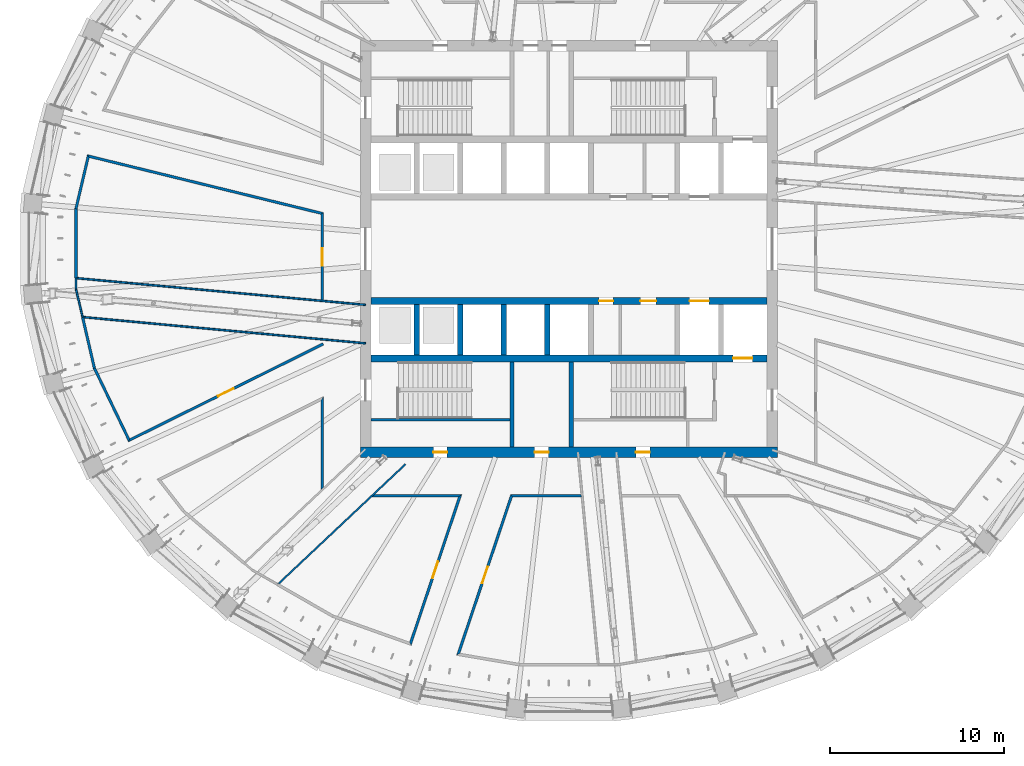
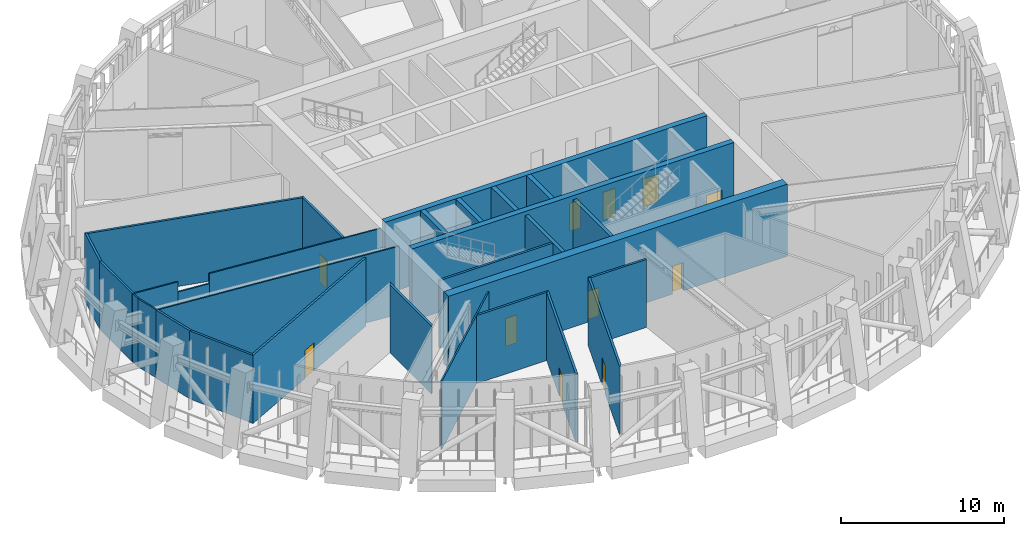
# One storey, part 7 of 20: 29 walls, 11 doors, 11 openings.
"""IFC4 building model written with IfcOpenShell, lengths in metres."""

from ifc_helpers import new_model, si_unit, direction, frame, frame_2d, origin, place, context, subcontext, project, spatial, polyline, rectangle, outline, extrude, material, layer, layer_set, type_object, element, fill, save


model = new_model("IFC4")

# Units and contexts
model_context = context("Model", 3, precision=1e-05, world=origin(), true_north=direction((0.0, 1.0)))
body_context = subcontext(model_context, "Body", "Model", "MODEL_VIEW")
ifc_project = project(units=[si_unit("LENGTHUNIT", "METRE"), si_unit("AREAUNIT", "SQUARE_METRE"), si_unit("VOLUMEUNIT", "CUBIC_METRE"), si_unit("PLANEANGLEUNIT", "RADIAN"), si_unit("MASSUNIT", "GRAM", prefix="KILO")], contexts=[model_context])

# Site, building, storey
site_placement = place(None, origin())
site = spatial("IfcSite", under=ifc_project, at=site_placement, CompositionType="ELEMENT")
building_placement = place(site_placement, origin())
building = spatial("IfcBuilding", under=site, at=building_placement, Name="Halqa Exchange Tower", CompositionType="ELEMENT")
storey_placement = place(building_placement, frame((0.0, 0.0, 250.89990234375)))
storey = spatial("IfcBuildingStorey", under=building, at=storey_placement, Name="L58", CompositionType="ELEMENT", Elevation=250.89990234375)

# Walls
ifc_material_1 = material(Name="Fire-rated gypsum board")
ifc_layer_1 = layer(ifc_material_1, 0.14990234375)
ifc_layer_set_1 = layer_set([ifc_layer_1], Name="Fire-rated gypsum board")
wall_type_1 = type_object("IfcWallType", Name="Fire partition EI 60 150", PredefinedType="PARTITIONING", material=ifc_layer_set_1)
wall_1_placement = place(storey_placement, frame((-28.360107421875, 2.318603515625, 0.0), z_axis=(0.0, 0.0, 1.0), x_axis=(0.0, -1.0, 0.0)))
element("IfcWall", 1, at=wall_1_placement, inside=storey, type_object=wall_type_1, Name="L58-PWL-004", PredefinedType="PARTITIONING", context=body_context, shape_type="SweptSolid", body=[
    extrude(outline(polyline([(3.99853515625, 0.074951171875), (2.0078125, 0.074951171875), (0.017333984375, 0.074951171875), (0.0, -0.073974609375), (0.0, -0.074951171875), (1.999267578125, -0.074951171875), (3.99853515625, -0.074951171875), (3.99853515625, 0.074951171875)])), origin(), (0.0, 0.0, 1.0), 5.10009765625),
])
wall_2_placement = place(storey_placement, frame((-28.362060546875, 2.301513671875, 0.0), z_axis=(0.0, 0.0, 1.0), x_axis=(0.228907359016, 0.973448211765, 0.0)))
element("IfcWall", 2, at=wall_2_placement, inside=storey, type_object=wall_type_1, Name="L58-PWL-005", PredefinedType="PARTITIONING", context=body_context, shape_type="SweptSolid", body=[
    extrude(outline(polyline([(0.017333984375, -0.074951171875), (1.53125, -0.074951171875), (3.044921875, -0.074951171875), (3.1962890625, 0.074951171875), (1.59814453125, 0.074951171875), (0.0, 0.074951171875), (0.017333984375, -0.074951171875)])), origin(), (0.0, 0.0, 1.0), 5.10009765625),
])
wall_3_placement = place(storey_placement, frame((-27.97998046875, -3.919921875, 0.0), z_axis=(0.0, 0.0, 1.0), x_axis=(0.225336755586, -0.974280938222, 0.0)))
element("IfcWall", 3, at=wall_3_placement, inside=storey, type_object=wall_type_1, Name="L58-PWL-006", PredefinedType="PARTITIONING", context=body_context, shape_type="SweptSolid", body=[
    extrude(outline(polyline([(0.0, -0.074951171875), (1.512939453125, -0.074951171875), (3.026123046875, -0.074951171875), (3.00927734375, 0.074951171875), (1.504638671875, 0.074951171875), (0.0, 0.074951171875), (0.0, -0.074951171875)])), origin(), (0.0, 0.0, 1.0), 5.10009765625),
])
wall_4_placement = place(storey_placement, frame((-27.72119140625, 5.357421875, 0.0), z_axis=(0.0, 0.0, 1.0), x_axis=(0.971194300178, -0.238288965968, 0.0)))
element("IfcWall", 4, at=wall_4_placement, inside=storey, type_object=wall_type_1, Name="L58-PWL-008", PredefinedType="PARTITIONING", context=body_context, shape_type="SweptSolid", body=[
    extrude(outline(polyline([(0.1513671875, -0.074951171875), (2.110107421875, -0.074951171875), (4.069091796875, -0.074951171875), (6.02783203125, -0.074951171875), (7.98681640625, -0.074951171875), (9.945556640625, -0.074951171875), (11.904541015625, -0.074951171875), (13.86328125, -0.074951171875), (13.98095703125, 0.074951171875), (11.983642578125, 0.074951171875), (9.986328125, 0.074951171875), (7.989013671875, 0.074951171875), (5.991943359375, 0.074951171875), (3.99462890625, 0.074951171875), (1.997314453125, 0.074951171875), (0.0, 0.074951171875), (0.0, 0.074951171875), (0.1513671875, -0.074951171875)])), origin(), (0.0, 0.0, 1.0), 5.10009765625),
])
wall_5_placement = place(storey_placement, frame((-27.3037109375, -6.8525390625, 0.0), z_axis=(0.0, 0.0, 1.0), x_axis=(0.434155152195, -0.900838111884, 0.0)))
element("IfcWall", 5, at=wall_5_placement, inside=storey, type_object=wall_type_1, Name="L58-PWL-009", PredefinedType="PARTITIONING", context=body_context, shape_type="SweptSolid", body=[
    extrude(outline(polyline([(4.69091796875, -0.074951171875), (4.69091796875, -0.074951171875), (4.539306640625, 0.074951171875), (3.03173828125, 0.074951171875), (1.524169921875, 0.074951171875), (0.0166015625, 0.074951171875), (0.0, -0.07470703125), (0.0, -0.074951171875), (1.563720703125, -0.074951171875), (3.127197265625, -0.074951171875), (4.69091796875, -0.074951171875)])), origin(), (0.0, 0.0, 1.0), 5.10009765625),
])

# Wall, opening, door
wall_6_placement = place(storey_placement, frame((-25.367919921875, -11.043701171875, 0.0), z_axis=(0.0, 0.0, 1.0), x_axis=(0.895719744434, 0.444619094767, 0.0)))
wall_6 = element("IfcWall", 6, at=wall_6_placement, inside=storey, type_object=wall_type_1, Name="L58-PWL-011", PredefinedType="PARTITIONING", context=body_context, shape_type="SweptSolid", body=[
    extrude(outline(polyline([(12.543212890625, 0.074951171875), (10.77294921875, 0.074951171875), (9.002685546875, 0.074951171875), (7.232666015625, 0.074951171875), (5.46240234375, 0.074951171875), (3.692138671875, 0.074951171875), (1.921875, 0.074951171875), (0.151611328125, 0.074951171875), (0.0, -0.074951171875), (1.7919921875, -0.074951171875), (3.583740234375, -0.074951171875), (5.375732421875, -0.074951171875), (7.16748046875, -0.074951171875), (8.95947265625, -0.074951171875), (10.751220703125, -0.074951171875), (12.543212890625, -0.074951171875), (12.543212890625, 0.074951171875)])), origin(), (0.0, 0.0, 1.0), 5.10009765625),
])
opening_1_placement = place(wall_6_placement, frame((5.772216796875, 0.0, 0.0)))
opening_1 = element("IfcOpeningElement", 7, at=opening_1_placement, cuts=wall_6, Name="Opening L58-01", PredefinedType="OPENING", context=body_context, shape_type="SweptSolid", body=[
    extrude(rectangle(XDim=1.0, YDim=2.10009765625, at=frame_2d((0.5, 1.050048828125))), frame((0.0, 0.0869140625, 0.0), z_axis=(0.0, -1.0, 0.0), x_axis=(1.0, 0.0, 0.0)), (0.0, 0.0, 1.0), 0.173828125),
])
ifc_material_2 = material(Name="Steel fire door leaf", Category="steel")
door_type_1 = type_object("IfcDoorType", Name="Fire door FD30S 1000 x 2100", OperationType="SINGLE_SWING_LEFT", PredefinedType="DOOR", material=ifc_material_2)
door_1_placement = place(opening_1_placement, origin())
door_1 = element("IfcDoor", 8, at=door_1_placement, inside=storey, type_object=door_type_1, Name="L58-IDR-001", OperationType="SINGLE_SWING_RIGHT", OverallHeight=2.10009765625, OverallWidth=1.0, PredefinedType="DOOR", context=body_context, shape_type="SweptSolid", body=[
    extrude(rectangle(XDim=1.0, YDim=2.10009765625, at=frame_2d((0.5, 1.050048828125))), frame((0.0, 0.02490234375, 0.0), z_axis=(0.0, -1.0, 0.0), x_axis=(1.0, 0.0, 0.0)), (0.0, 0.0, 1.0), 0.050048828125),
])
fill(opening_1, door_1)

# Wall
wall_7_placement = place(storey_placement, frame((-14.199951171875, -13.87255859375, 0.0), z_axis=(0.0, 0.0, 1.0), x_axis=(0.0, 1.0, 0.0)))
element("IfcWall", 9, at=wall_7_placement, inside=storey, type_object=wall_type_1, Name="L58-PWL-028", PredefinedType="PARTITIONING", context=body_context, shape_type="SweptSolid", body=[
    extrude(outline(polyline([(5.37353515625, -0.074951171875), (5.37353515625, -0.074951171875), (5.25244140625, 0.0), (5.131591796875, 0.074951171875), (3.421630859375, 0.074951171875), (1.71142578125, 0.074951171875), (0.001220703125, 0.074951171875), (0.14208984375, -0.074951171875), (1.885986328125, -0.074951171875), (3.629638671875, -0.074951171875), (5.37353515625, -0.074951171875)])), origin(), (0.0, 0.0, 1.0), 5.10009765625),
])

# Wall, opening, door
wall_8_placement = place(storey_placement, frame((-14.199951171875, -2.945556640625, 0.0), z_axis=(0.0, 0.0, 1.0), x_axis=(0.0, 1.0, 0.0)))
wall_8 = element("IfcWall", 10, at=wall_8_placement, inside=storey, type_object=wall_type_1, Name="L58-PWL-030", PredefinedType="PARTITIONING", context=body_context, shape_type="SweptSolid", body=[
    extrude(outline(polyline([(0.0, -0.074951171875), (1.681396484375, -0.074951171875), (3.36279296875, -0.074951171875), (5.04443359375, -0.074951171875), (4.985595703125, 0.0), (4.9267578125, 0.074951171875), (3.2890625, 0.074951171875), (1.6513671875, 0.074951171875), (0.013916015625, 0.074951171875), (0.0, -0.074462890625), (0.0, -0.074951171875)])), origin(), (0.0, 0.0, 1.0), 5.10009765625),
])
opening_2_placement = place(wall_8_placement, frame((1.970458984375, 0.0, 0.0)))
opening_2 = element("IfcOpeningElement", 11, at=opening_2_placement, cuts=wall_8, Name="Opening L58-16", PredefinedType="OPENING", context=body_context, shape_type="SweptSolid", body=[
    extrude(rectangle(XDim=1.0, YDim=2.10009765625, at=frame_2d((0.5, 1.050048828125))), frame((0.0, 0.0869140625, 0.0), z_axis=(0.0, -1.0, 0.0), x_axis=(1.0, 0.0, 0.0)), (0.0, 0.0, 1.0), 0.173828125),
])
door_2_placement = place(opening_2_placement, origin())
door_2 = element("IfcDoor", 12, at=door_2_placement, inside=storey, type_object=door_type_1, Name="L58-IDR-016", OperationType="SINGLE_SWING_RIGHT", OverallHeight=2.10009765625, OverallWidth=1.0, PredefinedType="DOOR", context=body_context, shape_type="SweptSolid", body=[
    extrude(rectangle(XDim=1.0, YDim=2.10009765625, at=frame_2d((0.5, 1.050048828125))), frame((0.0, 0.02490234375, 0.0), z_axis=(0.0, -1.0, 0.0), x_axis=(1.0, 0.0, 0.0)), (0.0, 0.0, 1.0), 0.050048828125),
])
fill(opening_2, door_2)

wall_9_placement = place(storey_placement, frame((-9.144287109375, -22.79248046875, 0.0), z_axis=(0.0, 0.0, 1.0), x_axis=(0.318224288807, 0.948015454522, 0.0)))
wall_9 = element("IfcWall", 13, at=wall_9_placement, inside=storey, type_object=wall_type_1, Name="L58-PWL-037", PredefinedType="PARTITIONING", context=body_context, shape_type="SweptSolid", body=[
    extrude(outline(polyline([(0.0, -0.074951171875), (1.83349609375, -0.074951171875), (3.667236328125, -0.074951171875), (5.500732421875, -0.074951171875), (7.334228515625, -0.074951171875), (9.16796875, -0.074951171875), (8.95947265625, 0.074951171875), (7.197998046875, 0.074951171875), (5.436767578125, 0.074951171875), (3.675537109375, 0.074951171875), (1.9140625, 0.074951171875), (0.15283203125, 0.074951171875), (0.0, -0.074951171875)])), origin(), (0.0, 0.0, 1.0), 5.10009765625),
])
opening_3_placement = place(wall_9_placement, frame((4.070068359375, 0.0, 0.0)))
opening_3 = element("IfcOpeningElement", 14, at=opening_3_placement, cuts=wall_9, Name="Opening L58-03", PredefinedType="OPENING", context=body_context, shape_type="SweptSolid", body=[
    extrude(rectangle(XDim=1.0, YDim=2.10009765625, at=frame_2d((0.5, 1.050048828125))), frame((0.0, 0.0869140625, 0.0), z_axis=(0.0, -1.0, 0.0), x_axis=(1.0, 0.0, 0.0)), (0.0, 0.0, 1.0), 0.173828125),
])
door_3_placement = place(opening_3_placement, origin())
door_3 = element("IfcDoor", 15, at=door_3_placement, inside=storey, type_object=door_type_1, Name="L58-IDR-003", OperationType="SINGLE_SWING_RIGHT", OverallHeight=2.10009765625, OverallWidth=1.0, PredefinedType="DOOR", context=body_context, shape_type="SweptSolid", body=[
    extrude(rectangle(XDim=1.0, YDim=2.10009765625, at=frame_2d((0.5, 1.050048828125))), frame((0.0, 0.02490234375, 0.0), z_axis=(0.0, -1.0, 0.0), x_axis=(1.0, 0.0, 0.0)), (0.0, 0.0, 1.0), 0.050048828125),
])
fill(opening_3, door_3)

# Wall
wall_10_placement = place(storey_placement, frame((-6.15576171875, -14.199951171875, 0.0), z_axis=(0.0, 0.0, 1.0), x_axis=(-1.0, 0.0, 0.0)))
element("IfcWall", 16, at=wall_10_placement, inside=storey, type_object=wall_type_1, Name="L58-PWL-041", PredefinedType="PARTITIONING", context=body_context, shape_type="SweptSolid", body=[
    extrude(outline(polyline([(0.0, -0.074951171875), (1.673828125, -0.074951171875), (3.34765625, -0.074951171875), (5.021484375, -0.074951171875), (5.180908203125, 0.074951171875), (3.5234375, 0.074951171875), (1.865966796875, 0.074951171875), (0.20849609375, 0.074951171875), (0.104248046875, 0.0), (0.0, -0.074951171875), (0.0, -0.074951171875)])), origin(), (0.0, 0.0, 1.0), 5.10009765625),
])

# Wall, opening, door
wall_11_placement = place(storey_placement, frame((-3.28271484375, -14.14892578125, 0.0), z_axis=(0.0, 0.0, 1.0), x_axis=(-0.319031661874, -0.947744057603, 0.0)))
wall_11 = element("IfcWall", 17, at=wall_11_placement, inside=storey, type_object=wall_type_1, Name="L58-PWL-044", PredefinedType="PARTITIONING", context=body_context, shape_type="SweptSolid", body=[
    extrude(outline(polyline([(0.000244140625, -0.074951171875), (1.952880859375, -0.074951171875), (3.90576171875, -0.074951171875), (5.858642578125, -0.074951171875), (7.8115234375, -0.074951171875), (9.764404296875, -0.074951171875), (9.5888671875, 0.074951171875), (7.692626953125, 0.074951171875), (5.79638671875, 0.074951171875), (3.900390625, 0.074951171875), (2.004150390625, 0.074951171875), (0.10791015625, 0.074951171875), (0.000244140625, -0.074951171875)])), origin(), (0.0, 0.0, 1.0), 5.10009765625),
])
opening_4_placement = place(wall_11_placement, frame((4.365234375, 0.0, 0.0)))
opening_4 = element("IfcOpeningElement", 18, at=opening_4_placement, cuts=wall_11, Name="Opening L58-04", PredefinedType="OPENING", context=body_context, shape_type="SweptSolid", body=[
    extrude(rectangle(XDim=1.0, YDim=2.10009765625, at=frame_2d((0.5, 1.050048828125))), frame((0.0, 0.0869140625, 0.0), z_axis=(0.0, -1.0, 0.0), x_axis=(1.0, 0.0, 0.0)), (0.0, 0.0, 1.0), 0.173828125),
])
door_4_placement = place(opening_4_placement, origin())
door_4 = element("IfcDoor", 19, at=door_4_placement, inside=storey, type_object=door_type_1, Name="L58-IDR-004", OperationType="SINGLE_SWING_LEFT", OverallHeight=2.10009765625, OverallWidth=1.0, PredefinedType="DOOR", context=body_context, shape_type="SweptSolid", body=[
    extrude(rectangle(XDim=1.0, YDim=2.10009765625, at=frame_2d((0.5, 1.050048828125))), frame((0.0, 0.02490234375, 0.0), z_axis=(0.0, -1.0, 0.0), x_axis=(1.0, 0.0, 0.0)), (0.0, 0.0, 1.0), 0.050048828125),
])
fill(opening_4, door_4)

# Walls
wall_12_placement = place(storey_placement, frame((0.716064453125, -14.199951171875, 0.0), z_axis=(0.0, 0.0, 1.0), x_axis=(-1.0, 0.0, 0.0)))
element("IfcWall", 20, at=wall_12_placement, inside=storey, type_object=wall_type_1, Name="L58-PWL-050", PredefinedType="PARTITIONING", context=body_context, shape_type="SweptSolid", body=[
    extrude(outline(polyline([(0.01416015625, -0.074951171875), (1.365966796875, -0.074951171875), (2.718017578125, -0.074951171875), (4.070068359375, -0.074951171875), (4.01611328125, 0.0), (3.962158203125, 0.074951171875), (1.981201171875, 0.074951171875), (0.0, 0.074951171875), (0.0, 0.072021484375), (0.01416015625, -0.074951171875)])), origin(), (0.0, 0.0, 1.0), 5.10009765625),
])
ifc_material_3 = material(Name="Gypsum board")
ifc_layer_2 = layer(ifc_material_3, 0.10009765625)
ifc_layer_set_2 = layer_set([ifc_layer_2], Name="Gypsum board")
wall_type_2 = type_object("IfcWallType", Name="Partition 100 gypsum", PredefinedType="PARTITIONING", material=ifc_layer_set_2)
wall_13_placement = place(storey_placement, frame((-28.361328125, -2.30419921875, 0.0), z_axis=(0.0, 0.0, 1.0), x_axis=(0.229711426493, -0.973258783951, 0.0)))
element("IfcWall", 21, at=wall_13_placement, inside=storey, type_object=wall_type_2, Name="L58-PWL-001", PredefinedType="PARTITIONING", context=body_context, shape_type="SweptSolid", body=[
    extrude(outline(polyline([(1.66015625, 0.050048828125), (0.01171875, 0.050048828125), (0.000244140625, -0.050048828125), (1.66015625, -0.050048828125), (1.66015625, 0.050048828125)])), origin(), (0.0, 0.0, 1.0), 5.10009765625),
])
wall_14_placement = place(storey_placement, frame((-28.360107421875, -1.679931640625, 0.0), z_axis=(0.0, 0.0, 1.0), x_axis=(0.0, -1.0, 0.0)))
element("IfcWall", 22, at=wall_14_placement, inside=storey, type_object=wall_type_2, Name="L58-PWL-002", PredefinedType="PARTITIONING", context=body_context, shape_type="SweptSolid", body=[
    extrude(outline(polyline([(0.0, -0.050048828125), (0.635986328125, -0.050048828125), (0.624267578125, 0.050048828125), (0.0, 0.050048828125), (0.0, -0.050048828125)])), origin(), (0.0, 0.0, 1.0), 5.10009765625),
])
wall_15_placement = place(storey_placement, frame((-28.30517578125, -1.68505859375, 0.0), z_axis=(0.0, 0.0, 1.0), x_axis=(0.995756165185, -0.092030752986, 0.0)))
element("IfcWall", 23, at=wall_15_placement, inside=storey, type_object=wall_type_2, Name="L58-PWL-003", PredefinedType="PARTITIONING", context=body_context, shape_type="SweptSolid", body=[
    extrude(outline(polyline([(2.944580078125, 0.050048828125), (1.480224609375, 0.050048828125), (0.015625, 0.050048828125), (0.01953125, 0.0068359375), (0.0, 0.005126953125), (0.0, -0.050048828125), (1.47216796875, -0.050048828125), (2.944580078125, -0.050048828125), (2.944580078125, 0.050048828125)])), origin(), (0.0, 0.0, 1.0), 5.10009765625),
])
wall_16_placement = place(storey_placement, frame((-27.944091796875, -3.92333984375, 0.0), z_axis=(0.0, 0.0, 1.0), x_axis=(0.995714045262, -0.092485350563, 0.0)))
element("IfcWall", 24, at=wall_16_placement, inside=storey, type_object=wall_type_2, Name="L58-PWL-007", PredefinedType="PARTITIONING", context=body_context, shape_type="SweptSolid", body=[
    extrude(outline(polyline([(0.0, 0.050048828125), (0.0, 0.049560546875), (0.011474609375, 0.015869140625), (0.0, 0.01220703125), (0.0, 0.011962890625), (0.03515625, 0.023681640625), (0.0595703125, -0.050048828125), (1.865478515625, -0.050048828125), (3.671630859375, -0.050048828125), (5.4775390625, -0.050048828125), (7.28369140625, -0.050048828125), (9.089599609375, -0.050048828125), (10.895751953125, -0.050048828125), (12.70166015625, -0.050048828125), (14.5078125, -0.050048828125), (16.313720703125, -0.050048828125), (16.313720703125, 0.050048828125), (14.5009765625, 0.050048828125), (12.6884765625, 0.050048828125), (10.875732421875, 0.050048828125), (9.063232421875, 0.050048828125), (7.25048828125, 0.050048828125), (5.43798828125, 0.050048828125), (3.625244140625, 0.050048828125), (1.812744140625, 0.050048828125), (0.0, 0.050048828125)])), origin(), (0.0, 0.0, 1.0), 5.10009765625),
])
wall_17_placement = place(storey_placement, frame((-16.732666015625, -19.2841796875, 0.0), z_axis=(0.0, 0.0, 1.0), x_axis=(0.728239899896, 0.685322295128, 0.0)))
element("IfcWall", 25, at=wall_17_placement, inside=storey, type_object=wall_type_2, Name="L58-PWL-025", PredefinedType="PARTITIONING", context=body_context, shape_type="SweptSolid", body=[
    extrude(outline(polyline([(0.05615234375, -0.050048828125), (1.9365234375, -0.050048828125), (3.81689453125, -0.050048828125), (5.697265625, -0.050048828125), (7.57763671875, -0.050048828125), (7.579345703125, -0.04833984375), (7.581298828125, -0.050048828125), (10.057373046875, -0.050048828125), (10.057373046875, 0.050048828125), (8.381103515625, 0.050048828125), (6.704833984375, 0.050048828125), (5.02880859375, 0.050048828125), (3.3525390625, 0.050048828125), (1.67626953125, 0.050048828125), (0.0, 0.050048828125), (0.0, 0.04833984375), (0.01025390625, 0.0146484375), (0.0341796875, 0.021728515625), (0.05615234375, -0.050048828125)])), origin(), (0.0, 0.0, 1.0), 5.10009765625),
])
wall_18_placement = place(storey_placement, frame((-25.373046875, -1.9560546875, 0.0), z_axis=(0.0, 0.0, 1.0), x_axis=(0.99575462093, -0.092047460023, 0.0)))
element("IfcWall", 26, at=wall_18_placement, inside=storey, type_object=wall_type_2, Name="L58-PWL-101", PredefinedType="PARTITIONING", context=body_context, shape_type="SweptSolid", body=[
    extrude(outline(polyline([(0.0, 0.050048828125), (0.0, -0.050048828125), (2.111328125, -0.050048828125), (2.111328125, 0.050048828125), (0.0, 0.050048828125)])), origin(), (0.0, 0.0, 1.0), 4.34716796875),
])
wall_19_placement = place(storey_placement, frame((-23.270751953125, -2.150390625, 0.0), z_axis=(0.0, 0.0, 1.0), x_axis=(0.995754807216, -0.092045444791, 0.0)))
element("IfcWall", 27, at=wall_19_placement, inside=storey, type_object=wall_type_2, Name="L58-PWL-102", PredefinedType="PARTITIONING", context=body_context, shape_type="SweptSolid", body=[
    extrude(outline(polyline([(11.6201171875, 0.050048828125), (10.329345703125, 0.050048828125), (9.038330078125, 0.050048828125), (9.029541015625, 0.04931640625), (9.029541015625, 0.050048828125), (7.2236328125, 0.050048828125), (5.417724609375, 0.050048828125), (3.61181640625, 0.050048828125), (1.805908203125, 0.050048828125), (0.0, 0.050048828125), (0.0, -0.050048828125), (1.936767578125, -0.050048828125), (3.873291015625, -0.050048828125), (5.81005859375, -0.050048828125), (7.746826171875, -0.050048828125), (9.683349609375, -0.050048828125), (11.6201171875, -0.050048828125), (11.6201171875, 0.050048828125)])), origin(), (0.0, 0.0, 1.0), 5.10009765625),
])
ifc_material_4 = material(Name="Concrete C60/75", Category="concrete")
ifc_layer_3 = layer(ifc_material_4, 0.300048828125)
ifc_layer_set_3 = layer_set([ifc_layer_3], Name="Concrete C60/75")
wall_type_3 = type_object("IfcWallType", Name="RC core wall 300", PredefinedType="SHEAR", material=ifc_layer_set_3)
for number, where, z_axis, x_axis, name in (
    (28, (-8.75, -6.10009765625, 0.0), (0.0, 0.0, 1.0), (0.0, 1.0, 0.0), "Shaft divider S1"),
    (29, (-6.25, -6.10009765625, 0.0), (0.0, 0.0, 1.0), (0.0, 1.0, 0.0), "Shaft divider S2"),
    (30, (-3.75, -6.10009765625, 0.0), (0.0, 0.0, 1.0), (0.0, 1.0, 0.0), "Shaft divider S3"),
    (31, (-1.25, -6.10009765625, 0.0), (0.0, 0.0, 1.0), (0.0, 1.0, 0.0), "Shaft divider S4"),
):
    element("IfcWall", number, at=place(storey_placement, frame(where, z_axis=z_axis, x_axis=x_axis)), inside=storey, type_object=wall_type_3, Name=name, PredefinedType="SHEAR", context=body_context, shape_type="SweptSolid", body=[
        extrude(rectangle(XDim=2.900146484375, YDim=0.300048828125, at=frame_2d((1.4501953125, 0.0))), origin(), (0.0, 0.0, 1.0), 5.400146484375),
    ])

# Wall, openings, doors
ifc_material_5 = material(Name="Concrete C70/85", Category="concrete")
ifc_layer_4 = layer(ifc_material_5, 0.39990234375)
ifc_layer_set_4 = layer_set([ifc_layer_4], Name="Concrete C70/85")
wall_type_4 = type_object("IfcWallType", Name="RC core wall 400 C70/85", PredefinedType="SHEAR", material=ifc_layer_set_4)
wall_20_placement = place(storey_placement, frame((-11.39990234375, -3.0, 0.0), z_axis=(0.0, 0.0, 1.0), x_axis=(1.0, 0.0, 0.0)))
wall_20 = element("IfcWall", 32, at=wall_20_placement, inside=storey, type_object=wall_type_4, Name="Lift row front wall S", PredefinedType="SHEAR", context=body_context, shape_type="SweptSolid", body=[
    extrude(rectangle(XDim=22.7998046875, YDim=0.39990234375, at=frame_2d((11.39990234375, 0.0))), origin(), (0.0, 0.0, 1.0), 5.400146484375),
])
opening_5_placement = place(wall_20_placement, frame((18.35009765625, 0.0, 0.0)))
opening_5 = element("IfcOpeningElement", 33, at=opening_5_placement, cuts=wall_20, Name="Opening LD-SV2-L58", PredefinedType="OPENING", context=body_context, shape_type="SweptSolid", body=[
    extrude(rectangle(XDim=1.10009765625, YDim=2.10009765625, at=frame_2d((0.550048828125, 1.050048828125))), frame((0.0, 0.2119140625, 0.0), z_axis=(0.0, -1.0, 0.0), x_axis=(1.0, 0.0, 0.0)), (0.0, 0.0, 1.0), 0.423828125),
])
opening_6_placement = place(wall_20_placement, frame((13.137451171875, 0.0, 0.0)))
opening_6 = element("IfcOpeningElement", 34, at=opening_6_placement, cuts=wall_20, Name="Opening L58-C22", PredefinedType="OPENING", context=body_context, shape_type="SweptSolid", body=[
    extrude(rectangle(XDim=0.800048828125, YDim=2.10009765625, at=frame_2d((0.39990234375, 1.050048828125))), frame((0.0, 0.2119140625, 0.0), z_axis=(0.0, -1.0, 0.0), x_axis=(1.0, 0.0, 0.0)), (0.0, 0.0, 1.0), 0.423828125),
])
opening_7_placement = place(wall_20_placement, frame((15.512451171875, 0.0, 0.0)))
opening_7 = element("IfcOpeningElement", 35, at=opening_7_placement, cuts=wall_20, Name="Opening L58-C23", PredefinedType="OPENING", context=body_context, shape_type="SweptSolid", body=[
    extrude(rectangle(XDim=0.89990234375, YDim=2.10009765625, at=frame_2d((0.449951171875, 1.050048828125))), frame((0.0, 0.2119140625, 0.0), z_axis=(0.0, -1.0, 0.0), x_axis=(1.0, 0.0, 0.0)), (0.0, 0.0, 1.0), 0.423828125),
])
ifc_material_6 = material(Name="Timber fire door leaf", Category="wood")
door_type_2 = type_object("IfcDoorType", Name="Core room door FD30 900 x 2100", OperationType="SINGLE_SWING_LEFT", PredefinedType="DOOR", material=ifc_material_6)
door_5_placement = place(opening_7_placement, frame((0.89990234375, 0.0, 0.0), z_axis=(0.0, 0.0, 1.0), x_axis=(-1.0, 0.0, 0.0)))
door_5 = element("IfcDoor", 36, at=door_5_placement, inside=storey, type_object=door_type_2, Name="Core room door", OperationType="SINGLE_SWING_RIGHT", OverallHeight=2.10009765625, OverallWidth=0.89990234375, PredefinedType="DOOR", context=body_context, shape_type="SweptSolid", body=[
    extrude(rectangle(XDim=0.89990234375, YDim=2.10009765625, at=frame_2d((0.449951171875, 1.050048828125))), frame((0.0, 0.02490234375, 0.0), z_axis=(0.0, -1.0, 0.0), x_axis=(1.0, 0.0, 0.0)), (0.0, 0.0, 1.0), 0.050048828125),
])
fill(opening_7, door_5)
ifc_material_7 = material(Name="Stainless steel", Category="steel")
door_type_3 = type_object("IfcDoorType", Name="Lift landing door 1100 x 2100", OperationType="SLIDING_TO_LEFT", PredefinedType="DOOR", material=ifc_material_7)
door_6_placement = place(opening_5_placement, origin())
door_6 = element("IfcDoor", 37, at=door_6_placement, inside=storey, type_object=door_type_3, Name="Lift landing door SV2", OperationType="SLIDING_TO_LEFT", OverallHeight=2.10009765625, OverallWidth=1.10009765625, PredefinedType="DOOR", context=body_context, shape_type="SweptSolid", body=[
    extrude(rectangle(XDim=1.10009765625, YDim=2.10009765625, at=frame_2d((0.550048828125, 1.050048828125))), frame((0.0, 0.02490234375, 0.0), z_axis=(0.0, -1.0, 0.0), x_axis=(1.0, 0.0, 0.0)), (0.0, 0.0, 1.0), 0.050048828125),
])
fill(opening_5, door_6)
door_type_4 = type_object("IfcDoorType", Name="Riser door FD60 800 x 2100", OperationType="SINGLE_SWING_LEFT", PredefinedType="DOOR", material=ifc_material_2)
door_7_placement = place(opening_6_placement, frame((0.800048828125, 0.0, 0.0), z_axis=(0.0, 0.0, 1.0), x_axis=(-1.0, 0.0, 0.0)))
door_7 = element("IfcDoor", 38, at=door_7_placement, inside=storey, type_object=door_type_4, Name="Core room door", OperationType="SINGLE_SWING_RIGHT", OverallHeight=2.10009765625, OverallWidth=0.800048828125, PredefinedType="DOOR", context=body_context, shape_type="SweptSolid", body=[
    extrude(rectangle(XDim=0.800048828125, YDim=2.10009765625, at=frame_2d((0.39990234375, 1.050048828125))), frame((0.0, 0.02490234375, 0.0), z_axis=(0.0, -1.0, 0.0), x_axis=(1.0, 0.0, 0.0)), (0.0, 0.0, 1.0), 0.050048828125),
])
fill(opening_6, door_7)

# Wall, opening, door
wall_21_placement = place(storey_placement, frame((-11.39990234375, -6.300048828125, 0.0), z_axis=(0.0, 0.0, 1.0), x_axis=(1.0, 0.0, 0.0)))
wall_21 = element("IfcWall", 39, at=wall_21_placement, inside=storey, type_object=wall_type_4, Name="Lift row back wall S", PredefinedType="SHEAR", context=body_context, shape_type="SweptSolid", body=[
    extrude(rectangle(XDim=22.7998046875, YDim=0.39990234375, at=frame_2d((11.39990234375, 0.0))), origin(), (0.0, 0.0, 1.0), 5.400146484375),
])
opening_8_placement = place(wall_21_placement, frame((20.85009765625, 0.0, 0.0)))
opening_8 = element("IfcOpeningElement", 40, at=opening_8_placement, cuts=wall_21, Name="Opening LD-FF2-L58", PredefinedType="OPENING", context=body_context, shape_type="SweptSolid", body=[
    extrude(rectangle(XDim=1.10009765625, YDim=2.10009765625, at=frame_2d((0.550048828125, 1.050048828125))), frame((0.0, 0.2119140625, 0.0), z_axis=(0.0, -1.0, 0.0), x_axis=(1.0, 0.0, 0.0)), (0.0, 0.0, 1.0), 0.423828125),
])
door_8_placement = place(opening_8_placement, origin())
door_8 = element("IfcDoor", 41, at=door_8_placement, inside=storey, type_object=door_type_3, Name="Lift landing door FF2", OperationType="SLIDING_TO_LEFT", OverallHeight=2.10009765625, OverallWidth=1.10009765625, PredefinedType="DOOR", context=body_context, shape_type="SweptSolid", body=[
    extrude(rectangle(XDim=1.10009765625, YDim=2.10009765625, at=frame_2d((0.550048828125, 1.050048828125))), frame((0.0, 0.02490234375, 0.0), z_axis=(0.0, -1.0, 0.0), x_axis=(1.0, 0.0, 0.0)), (0.0, 0.0, 1.0), 0.050048828125),
])
fill(opening_8, door_8)

# Wall, openings, doors
ifc_layer_5 = layer(ifc_material_5, 0.60009765625)
ifc_layer_set_5 = layer_set([ifc_layer_5], Name="Concrete C70/85")
wall_type_5 = type_object("IfcWallType", Name="RC core wall 600 C70/85", PredefinedType="SHEAR", material=ifc_layer_set_5)
wall_22_placement = place(storey_placement, frame((-12.0, -11.699951171875, 0.0), z_axis=(0.0, 0.0, 1.0), x_axis=(1.0, 0.0, 0.0)))
wall_22 = element("IfcWall", 42, at=wall_22_placement, inside=storey, type_object=wall_type_5, Name="Core wall south", PredefinedType="SHEAR", context=body_context, shape_type="SweptSolid", body=[
    extrude(rectangle(XDim=24.0, YDim=0.60009765625, at=frame_2d((12.0, 0.0))), origin(), (0.0, 0.0, 1.0), 5.400146484375),
])
opening_9_placement = place(wall_22_placement, frame((10.02490234375, 0.0, 0.0)))
opening_9 = element("IfcOpeningElement", 43, at=opening_9_placement, cuts=wall_22, Name="Opening L58-C17", PredefinedType="OPENING", context=body_context, shape_type="SweptSolid", body=[
    extrude(rectangle(XDim=0.800048828125, YDim=2.10009765625, at=frame_2d((0.39990234375, 1.050048828125))), frame((0.0, 0.31201171875, 0.0), z_axis=(0.0, -1.0, 0.0), x_axis=(1.0, 0.0, 0.0)), (0.0, 0.0, 1.0), 0.6240234375),
])
opening_10_placement = place(wall_22_placement, frame((4.199951171875, 0.0, 0.0)))
opening_10 = element("IfcOpeningElement", 44, at=opening_10_placement, cuts=wall_22, Name="Opening L58-C18", PredefinedType="OPENING", context=body_context, shape_type="SweptSolid", body=[
    extrude(rectangle(XDim=0.800048828125, YDim=2.10009765625, at=frame_2d((0.39990234375, 1.050048828125))), frame((0.0, 0.31201171875, 0.0), z_axis=(0.0, -1.0, 0.0), x_axis=(1.0, 0.0, 0.0)), (0.0, 0.0, 1.0), 0.6240234375),
])
opening_11_placement = place(wall_22_placement, frame((15.85009765625, 0.0, 0.0)))
opening_11 = element("IfcOpeningElement", 45, at=opening_11_placement, cuts=wall_22, Name="Opening L58-C19", PredefinedType="OPENING", context=body_context, shape_type="SweptSolid", body=[
    extrude(rectangle(XDim=0.800048828125, YDim=2.10009765625, at=frame_2d((0.39990234375, 1.050048828125))), frame((0.0, 0.31201171875, 0.0), z_axis=(0.0, -1.0, 0.0), x_axis=(1.0, 0.0, 0.0)), (0.0, 0.0, 1.0), 0.6240234375),
])
door_9_placement = place(opening_9_placement, origin())
door_9 = element("IfcDoor", 46, at=door_9_placement, inside=storey, type_object=door_type_4, Name="Core room door", OperationType="SINGLE_SWING_LEFT", OverallHeight=2.10009765625, OverallWidth=0.800048828125, PredefinedType="DOOR", context=body_context, shape_type="SweptSolid", body=[
    extrude(rectangle(XDim=0.800048828125, YDim=2.10009765625, at=frame_2d((0.39990234375, 1.050048828125))), frame((0.0, 0.02490234375, 0.0), z_axis=(0.0, -1.0, 0.0), x_axis=(1.0, 0.0, 0.0)), (0.0, 0.0, 1.0), 0.050048828125),
])
fill(opening_9, door_9)
door_10_placement = place(opening_10_placement, origin())
door_10 = element("IfcDoor", 47, at=door_10_placement, inside=storey, type_object=door_type_4, Name="Core room door", OperationType="SINGLE_SWING_RIGHT", OverallHeight=2.10009765625, OverallWidth=0.800048828125, PredefinedType="DOOR", context=body_context, shape_type="SweptSolid", body=[
    extrude(rectangle(XDim=0.800048828125, YDim=2.10009765625, at=frame_2d((0.39990234375, 1.050048828125))), frame((0.0, 0.02490234375, 0.0), z_axis=(0.0, -1.0, 0.0), x_axis=(1.0, 0.0, 0.0)), (0.0, 0.0, 1.0), 0.050048828125),
])
fill(opening_10, door_10)
door_11_placement = place(opening_11_placement, origin())
door_11 = element("IfcDoor", 48, at=door_11_placement, inside=storey, type_object=door_type_4, Name="Core room door", OperationType="SINGLE_SWING_LEFT", OverallHeight=2.10009765625, OverallWidth=0.800048828125, PredefinedType="DOOR", context=body_context, shape_type="SweptSolid", body=[
    extrude(rectangle(XDim=0.800048828125, YDim=2.10009765625, at=frame_2d((0.39990234375, 1.050048828125))), frame((0.0, 0.02490234375, 0.0), z_axis=(0.0, -1.0, 0.0), x_axis=(1.0, 0.0, 0.0)), (0.0, 0.0, 1.0), 0.050048828125),
])
fill(opening_11, door_11)

# Walls
ifc_material_8 = material(Name="Concrete C30/37", Category="concrete")
ifc_layer_6 = layer(ifc_material_8, 0.14990234375)
ifc_layer_set_6 = layer_set([ifc_layer_6], Name="Concrete C30/37")
wall_type_6 = type_object("IfcWallType", Name="RC stair wall 150 C30/37", PredefinedType="SHEAR", material=ifc_layer_set_6)
wall_23_placement = place(storey_placement, frame((-11.39990234375, -9.824951171875, 0.0), z_axis=(0.0, 0.0, 1.0), x_axis=(1.0, 0.0, 0.0)))
element("IfcWall", 49, at=wall_23_placement, inside=storey, type_object=wall_type_6, Name="Stair ST1 north wall S", PredefinedType="SHEAR", context=body_context, shape_type="SweptSolid", body=[
    extrude(rectangle(XDim=8.0, YDim=0.14990234375, at=frame_2d((4.0, 0.0))), origin(), (0.0, 0.0, 1.0), 5.10009765625),
])
ifc_layer_7 = layer(ifc_material_8, 0.25)
ifc_layer_set_7 = layer_set([ifc_layer_7], Name="Concrete C30/37")
wall_type_7 = type_object("IfcWallType", Name="RC stair wall 250 C30/37", PredefinedType="SHEAR", material=ifc_layer_set_7)
for number, where, z_axis, x_axis, name in (
    (50, (-3.27490234375, -11.39990234375, 0.0), (0.0, 0.0, 1.0), (0.0, 1.0, 0.0), "Stair ST1 east wall S"),
    (51, (0.125, -11.39990234375, 0.0), (0.0, 0.0, 1.0), (0.0, 1.0, 0.0), "Stair ST2 west wall S"),
):
    element("IfcWall", number, at=place(storey_placement, frame(where, z_axis=z_axis, x_axis=x_axis)), inside=storey, type_object=wall_type_7, Name=name, PredefinedType="SHEAR", context=body_context, shape_type="SweptSolid", body=[
        extrude(rectangle(XDim=4.89990234375, YDim=0.25, at=frame_2d((2.449951171875, 0.0))), origin(), (0.0, 0.0, 1.0), 5.10009765625),
    ])

save(model, "model.ifc")
